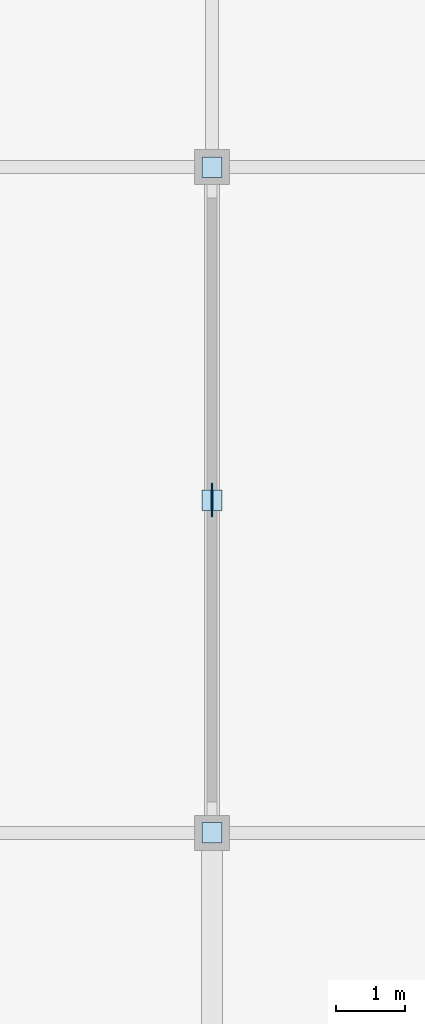
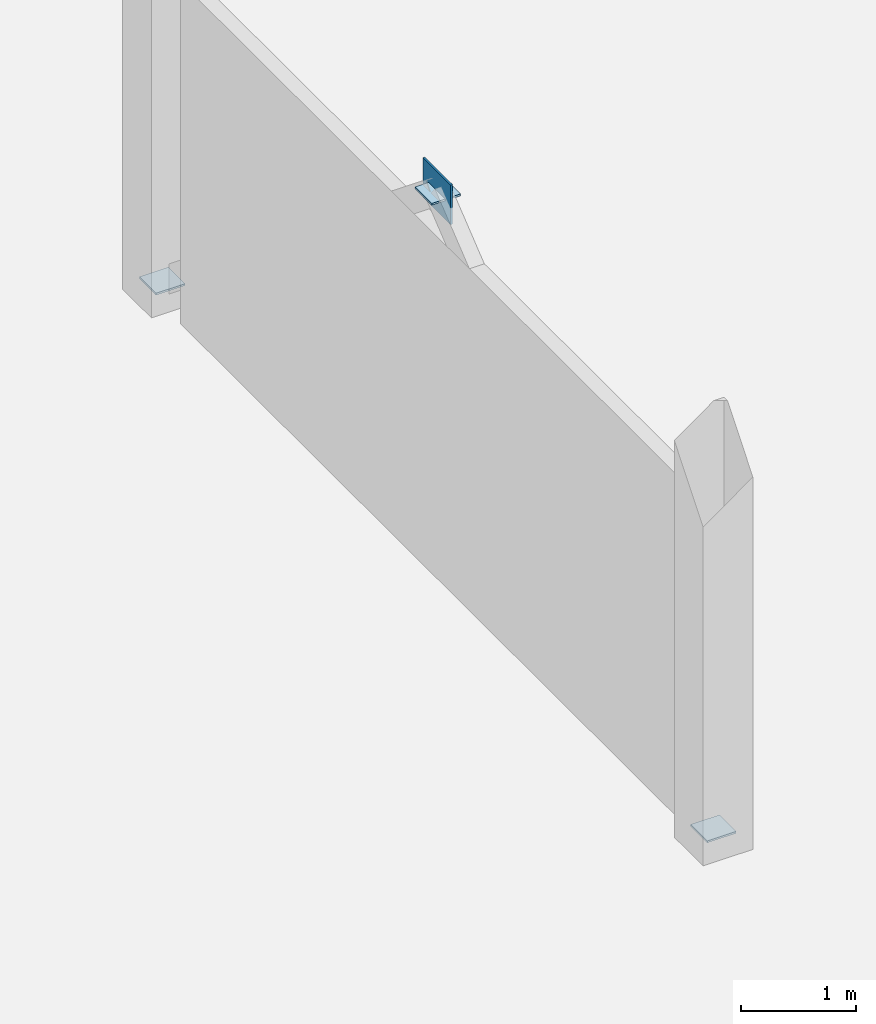
# One storey, part 95 of 109: 4 plates.
"""IFC4 building model written with IfcOpenShell, lengths in metres."""

from ifc_helpers import new_model, si_unit, direction, frame, origin, origin_2d, place, context, subcontext, project, spatial, rectangle, extrude, material, layer, layer_set, type_object, element, save


model = new_model("IFC4")

# Units and contexts
model_context = context("Model", 3, precision=1e-05, world=origin(), true_north=direction((0.0, 1.0)))
body_context = subcontext(model_context, "Body", "Model", "MODEL_VIEW")
ifc_project = project(units=[si_unit("LENGTHUNIT", "METRE"), si_unit("AREAUNIT", "SQUARE_METRE"), si_unit("VOLUMEUNIT", "CUBIC_METRE"), si_unit("PLANEANGLEUNIT", "RADIAN"), si_unit("MASSUNIT", "GRAM", prefix="KILO")], contexts=[model_context])

# Site, building, storey
site_placement = place(None, origin())
site = spatial("IfcSite", under=ifc_project, at=site_placement, CompositionType="ELEMENT")
building_placement = place(site_placement, origin())
building = spatial("IfcBuilding", under=site, at=building_placement, Name="Veltarok Museum of Natural Sciences", CompositionType="ELEMENT")
storey_placement = place(building_placement, frame((0.0, 0.0, 17.39990234375)))
storey = spatial("IfcBuildingStorey", under=building, at=storey_placement, Name="L03", CompositionType="ELEMENT", Elevation=17.39990234375)

# Plates
ifc_material = material(Name="Steel S355J2", Category="steel")
ifc_layer_1 = layer(ifc_material, 0.02001953125)
ifc_layer_set_1 = layer_set([ifc_layer_1], Name="Steel S355J2")
plate_type_1 = type_object("IfcPlateType", Name="Hollow End Closure Plate D290x20", PredefinedType="USERDEFINED", material=ifc_layer_set_1)
for number, where, z_axis, x_axis, name in (
    (1, (149.199951171875, 9.60302734375, 0.142578125), (0.0, 0.0, 1.0), (0.0, 1.0, 0.0), "End Cap Plate CP-273 468"),
    (2, (149.199951171875, 14.39697265625, 4.007568359375), (0.0, 0.0, 1.0), (0.0, 1.0, 0.0), "End Cap Plate CP-273 469"),
    (3, (149.199951171875, 19.19677734375, 0.142578125), (0.0, 0.0, 1.0), (0.0, 1.0, 0.0), "End Cap Plate CP-273 470"),
):
    element("IfcPlate", number, at=place(storey_placement, frame(where, z_axis=z_axis, x_axis=x_axis)), inside=storey, type_object=plate_type_1, Name=name, ObjectType="END CAP PLATE", PredefinedType="USERDEFINED", context=body_context, shape_type="SweptSolid", body=[
        extrude(rectangle(XDim=0.2900390625, YDim=0.2900390625, at=origin_2d()), origin(), (0.0, 0.0, 1.0), 0.02001953125),
    ])
ifc_layer_2 = layer(ifc_material, 0.02001953125)
ifc_layer_set_2 = layer_set([ifc_layer_2], Name="Steel S355J2")
plate_type_2 = type_object("IfcPlateType", Name="Lateral Brace Gusset Node Plate BN1", PredefinedType="USERDEFINED", material=ifc_layer_set_2)
plate_placement = place(storey_placement, frame((149.199951171875, 14.39990234375, 3.81005859375), z_axis=(0.0, 0.0, 1.0), x_axis=(1.0, 0.0, 0.0)))
element("IfcPlate", 4, at=plate_placement, inside=storey, type_object=plate_type_2, Name="Lateral Brace Apex Node BN1 35", ObjectType="GUSSET PLATE", PredefinedType="USERDEFINED", context=body_context, shape_type="SweptSolid", body=[
    extrude(rectangle(XDim=0.02001953125, YDim=0.47998046875, at=origin_2d()), origin(), (0.0, 0.0, 1.0), 0.419921875),
])

save(model, "model.ifc")
